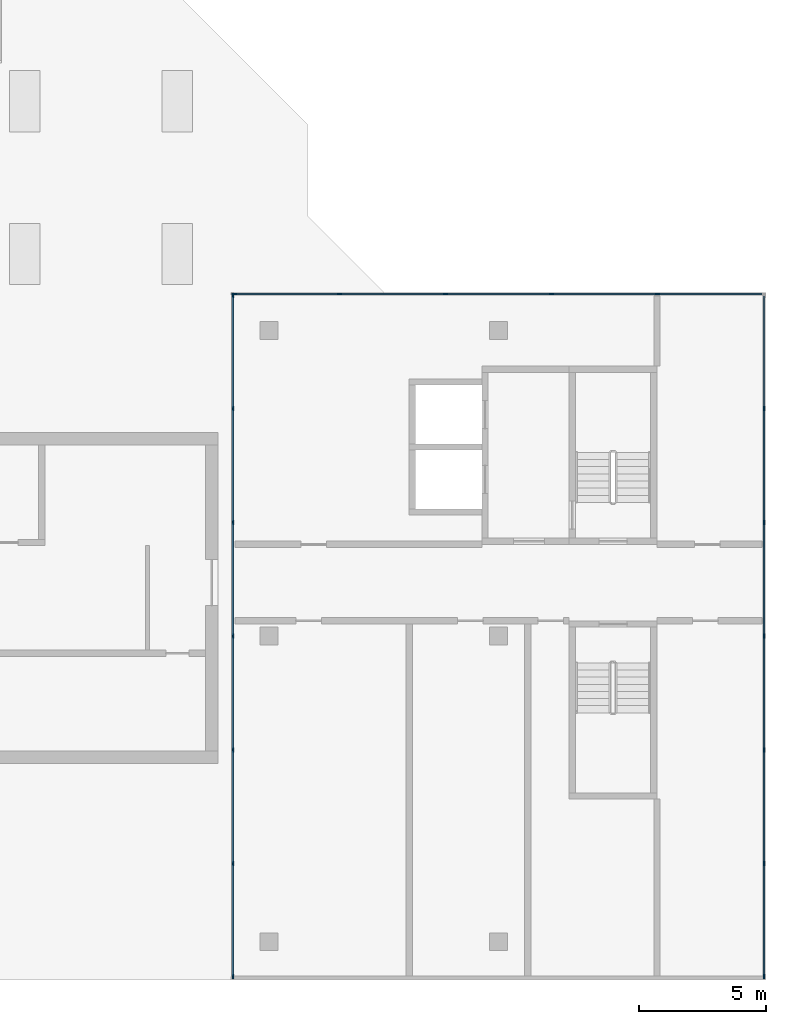
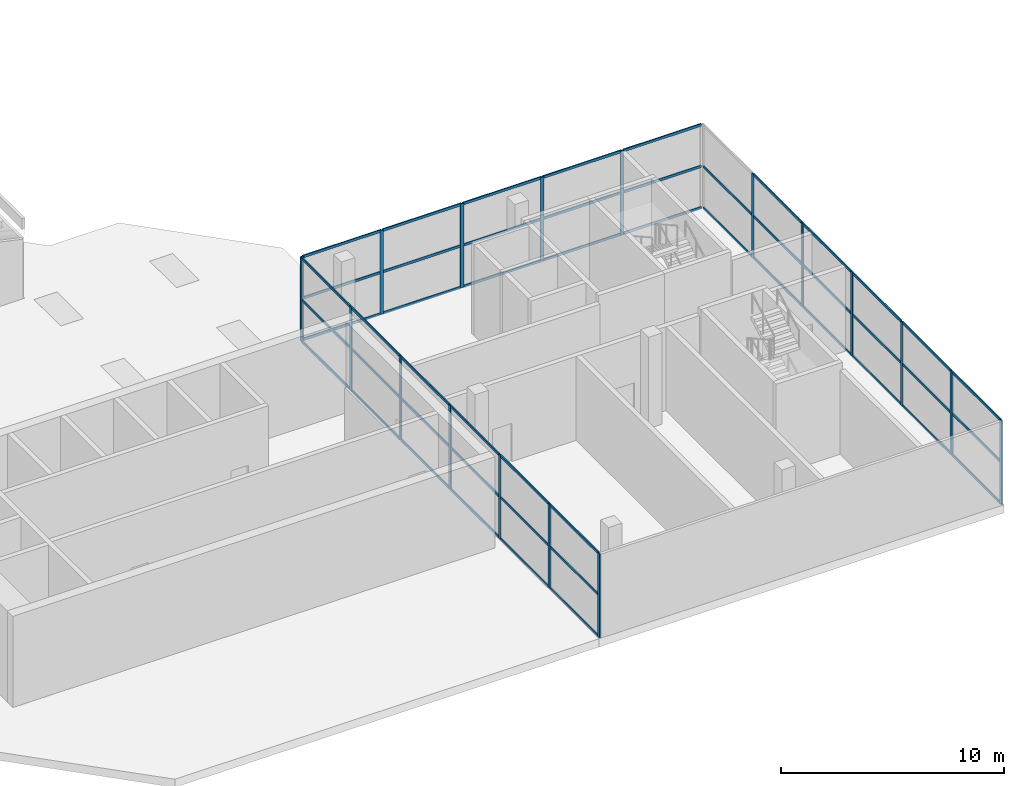
# One storey, part 2 of 8: 68 members, 3 elements without a shape of their own.
"""IFC4 building model written with IfcOpenShell, lengths in metres."""

from ifc_helpers import new_model, si_unit, direction, frame, origin, origin_2d, place, context, subcontext, project, spatial, rectangle, extrude, material, layer, layer_set, material_profile, profile_set, type_object, element, aggregate, save


model = new_model("IFC4")

# Units and contexts
model_context = context("Model", 3, precision=1e-05, world=origin(), true_north=direction((0.0, 1.0)))
body_context = subcontext(model_context, "Body", "Model", "MODEL_VIEW")
ifc_project = project(units=[si_unit("LENGTHUNIT", "METRE"), si_unit("AREAUNIT", "SQUARE_METRE"), si_unit("VOLUMEUNIT", "CUBIC_METRE"), si_unit("PLANEANGLEUNIT", "RADIAN"), si_unit("MASSUNIT", "GRAM", prefix="KILO")], contexts=[model_context])

# Site, building, storey
site_placement = place(None, origin())
site = spatial("IfcSite", under=ifc_project, at=site_placement, CompositionType="ELEMENT")
building_placement = place(site_placement, origin())
building = spatial("IfcBuilding", under=site, at=building_placement, Name="Chenar Terraces", CompositionType="ELEMENT")
storey_placement = place(building_placement, frame((0.0, 0.0, 383.89990234375)))
storey = spatial("IfcBuildingStorey", under=building, at=storey_placement, Name="L90", CompositionType="ELEMENT", Elevation=383.89990234375)

# Curtain wall, members
ifc_material_1 = material(Name="Aluminium framed glazing", Category="aluminium")
ifc_layer = layer(ifc_material_1, 0.14990234375)
ifc_layer_set = layer_set([ifc_layer], Name="Aluminium framed glazing")
curtain_wall_type = type_object("IfcCurtainWallType", Name="Crown curtain wall", PredefinedType="NOTDEFINED", material=ifc_layer_set)
placement = place(storey_placement, origin())
curtain_wall_1 = element("IfcCurtainWall", 1, at=placement, inside=storey, type_object=curtain_wall_type, Name="Crown curtain wall", PredefinedType="NOTDEFINED")
ifc_material_2 = material(Name="Aluminium", Category="aluminium")
ifc_material_profile_1 = material_profile(ifc_material_2, rectangle(XDim=0.06005859375, YDim=0.179931640625, at=origin_2d()), Name="Crown glazing mullion 60 x 180")
ifc_profile_set_1 = profile_set([ifc_material_profile_1], Name="Aluminium")
member_type_1 = type_object("IfcMemberType", Name="Crown glazing mullion 60 x 180", PredefinedType="MULLION", material=ifc_profile_set_1)
member_1_placement = place(storey_placement, frame((55.425048828125, -1.3701171875, 0.0), z_axis=(0.0, 0.0, 1.0), x_axis=(-1.0, 0.0, 0.0)))
member_1 = element("IfcMember", 2, at=member_1_placement, type_object=member_type_1, Name="CW4-01 mullion 1", PredefinedType="MULLION", context=body_context, shape_type="SweptSolid", body=[
    extrude(rectangle(XDim=0.06005859375, YDim=0.179931640625, at=origin_2d()), origin(), (0.0, 0.0, 1.0), 4.60009765625),
])
member_2_placement = place(storey_placement, frame((55.425048828125, 3.066650390625, 0.0), z_axis=(0.0, 0.0, 1.0), x_axis=(-1.0, 0.0, 0.0)))
member_2 = element("IfcMember", 3, at=member_2_placement, type_object=member_type_1, Name="CW4-01 mullion 2", PredefinedType="MULLION", context=body_context, shape_type="SweptSolid", body=[
    extrude(rectangle(XDim=0.06005859375, YDim=0.179931640625, at=origin_2d()), origin(), (0.0, 0.0, 1.0), 4.60009765625),
])
member_3_placement = place(storey_placement, frame((55.425048828125, 7.533447265625, 0.0), z_axis=(0.0, 0.0, 1.0), x_axis=(-1.0, 0.0, 0.0)))
member_3 = element("IfcMember", 4, at=member_3_placement, type_object=member_type_1, Name="CW4-01 mullion 3", PredefinedType="MULLION", context=body_context, shape_type="SweptSolid", body=[
    extrude(rectangle(XDim=0.06005859375, YDim=0.179931640625, at=origin_2d()), origin(), (0.0, 0.0, 1.0), 4.60009765625),
])
member_4_placement = place(storey_placement, frame((55.425048828125, 12.0, 0.0), z_axis=(0.0, 0.0, 1.0), x_axis=(-1.0, 0.0, 0.0)))
member_4 = element("IfcMember", 5, at=member_4_placement, type_object=member_type_1, Name="CW4-01 mullion 4", PredefinedType="MULLION", context=body_context, shape_type="SweptSolid", body=[
    extrude(rectangle(XDim=0.06005859375, YDim=0.179931640625, at=origin_2d()), origin(), (0.0, 0.0, 1.0), 4.60009765625),
])
member_5_placement = place(storey_placement, frame((55.425048828125, 16.466552734375, 0.0), z_axis=(0.0, 0.0, 1.0), x_axis=(-1.0, 0.0, 0.0)))
member_5 = element("IfcMember", 6, at=member_5_placement, type_object=member_type_1, Name="CW4-01 mullion 5", PredefinedType="MULLION", context=body_context, shape_type="SweptSolid", body=[
    extrude(rectangle(XDim=0.06005859375, YDim=0.179931640625, at=origin_2d()), origin(), (0.0, 0.0, 1.0), 4.60009765625),
])
member_6_placement = place(storey_placement, frame((55.425048828125, 20.933349609375, 0.0), z_axis=(0.0, 0.0, 1.0), x_axis=(-1.0, 0.0, 0.0)))
member_6 = element("IfcMember", 7, at=member_6_placement, type_object=member_type_1, Name="CW4-01 mullion 6", PredefinedType="MULLION", context=body_context, shape_type="SweptSolid", body=[
    extrude(rectangle(XDim=0.06005859375, YDim=0.179931640625, at=origin_2d()), origin(), (0.0, 0.0, 1.0), 4.60009765625),
])

curtain_wall_2 = element("IfcCurtainWall", 8, at=placement, inside=storey, type_object=curtain_wall_type, Name="Crown curtain wall", PredefinedType="NOTDEFINED")
member_7_placement = place(storey_placement, frame((51.239990234375, 25.425048828125, 0.0), z_axis=(0.0, 0.0, 1.0), x_axis=(0.0, -1.0, 0.0)))
member_7 = element("IfcMember", 9, at=member_7_placement, type_object=member_type_1, Name="CW4-02 mullion 2", PredefinedType="MULLION", context=body_context, shape_type="SweptSolid", body=[
    extrude(rectangle(XDim=0.06005859375, YDim=0.179931640625, at=origin_2d()), origin(), (0.0, 0.0, 1.0), 4.60009765625),
])
member_8_placement = place(storey_placement, frame((47.080078125, 25.425048828125, 0.0), z_axis=(0.0, 0.0, 1.0), x_axis=(0.0, -1.0, 0.0)))
member_8 = element("IfcMember", 10, at=member_8_placement, type_object=member_type_1, Name="CW4-02 mullion 3", PredefinedType="MULLION", context=body_context, shape_type="SweptSolid", body=[
    extrude(rectangle(XDim=0.06005859375, YDim=0.179931640625, at=origin_2d()), origin(), (0.0, 0.0, 1.0), 4.60009765625),
])
member_9_placement = place(storey_placement, frame((42.919921875, 25.425048828125, 0.0), z_axis=(0.0, 0.0, 1.0), x_axis=(0.0, -1.0, 0.0)))
member_9 = element("IfcMember", 11, at=member_9_placement, type_object=member_type_1, Name="CW4-02 mullion 4", PredefinedType="MULLION", context=body_context, shape_type="SweptSolid", body=[
    extrude(rectangle(XDim=0.06005859375, YDim=0.179931640625, at=origin_2d()), origin(), (0.0, 0.0, 1.0), 4.60009765625),
])
member_10_placement = place(storey_placement, frame((38.760009765625, 25.425048828125, 0.0), z_axis=(0.0, 0.0, 1.0), x_axis=(0.0, -1.0, 0.0)))
member_10 = element("IfcMember", 12, at=member_10_placement, type_object=member_type_1, Name="CW4-02 mullion 5", PredefinedType="MULLION", context=body_context, shape_type="SweptSolid", body=[
    extrude(rectangle(XDim=0.06005859375, YDim=0.179931640625, at=origin_2d()), origin(), (0.0, 0.0, 1.0), 4.60009765625),
])
member_11_placement = place(storey_placement, frame((34.6298828125, 25.425048828125, 0.0), z_axis=(0.0, 0.0, 1.0), x_axis=(0.0, -1.0, 0.0)))
member_11 = element("IfcMember", 13, at=member_11_placement, type_object=member_type_1, Name="CW4-02 mullion 6", PredefinedType="MULLION", context=body_context, shape_type="SweptSolid", body=[
    extrude(rectangle(XDim=0.06005859375, YDim=0.179931640625, at=origin_2d()), origin(), (0.0, 0.0, 1.0), 4.60009765625),
])

curtain_wall_3 = element("IfcCurtainWall", 14, at=placement, inside=storey, type_object=curtain_wall_type, Name="Crown curtain wall", PredefinedType="NOTDEFINED")
member_12_placement = place(storey_placement, frame((34.574951171875, 25.3701171875, 0.0), z_axis=(0.0, 0.0, 1.0), x_axis=(1.0, 0.0, 0.0)))
member_12 = element("IfcMember", 15, at=member_12_placement, type_object=member_type_1, Name="CW4-03 mullion 1", PredefinedType="MULLION", context=body_context, shape_type="SweptSolid", body=[
    extrude(rectangle(XDim=0.06005859375, YDim=0.179931640625, at=origin_2d()), origin(), (0.0, 0.0, 1.0), 4.60009765625),
])
member_13_placement = place(storey_placement, frame((34.574951171875, 20.933349609375, 0.0), z_axis=(0.0, 0.0, 1.0), x_axis=(1.0, 0.0, 0.0)))
member_13 = element("IfcMember", 16, at=member_13_placement, type_object=member_type_1, Name="CW4-03 mullion 2", PredefinedType="MULLION", context=body_context, shape_type="SweptSolid", body=[
    extrude(rectangle(XDim=0.06005859375, YDim=0.179931640625, at=origin_2d()), origin(), (0.0, 0.0, 1.0), 4.60009765625),
])
member_14_placement = place(storey_placement, frame((34.574951171875, 16.466552734375, 0.0), z_axis=(0.0, 0.0, 1.0), x_axis=(1.0, 0.0, 0.0)))
member_14 = element("IfcMember", 17, at=member_14_placement, type_object=member_type_1, Name="CW4-03 mullion 3", PredefinedType="MULLION", context=body_context, shape_type="SweptSolid", body=[
    extrude(rectangle(XDim=0.06005859375, YDim=0.179931640625, at=origin_2d()), origin(), (0.0, 0.0, 1.0), 4.60009765625),
])
member_15_placement = place(storey_placement, frame((34.574951171875, 12.0, 0.0), z_axis=(0.0, 0.0, 1.0), x_axis=(1.0, 0.0, 0.0)))
member_15 = element("IfcMember", 18, at=member_15_placement, type_object=member_type_1, Name="CW4-03 mullion 4", PredefinedType="MULLION", context=body_context, shape_type="SweptSolid", body=[
    extrude(rectangle(XDim=0.06005859375, YDim=0.179931640625, at=origin_2d()), origin(), (0.0, 0.0, 1.0), 4.60009765625),
])
member_16_placement = place(storey_placement, frame((34.574951171875, 7.533447265625, 0.0), z_axis=(0.0, 0.0, 1.0), x_axis=(1.0, 0.0, 0.0)))
member_16 = element("IfcMember", 19, at=member_16_placement, type_object=member_type_1, Name="CW4-03 mullion 5", PredefinedType="MULLION", context=body_context, shape_type="SweptSolid", body=[
    extrude(rectangle(XDim=0.06005859375, YDim=0.179931640625, at=origin_2d()), origin(), (0.0, 0.0, 1.0), 4.60009765625),
])
member_17_placement = place(storey_placement, frame((34.574951171875, 3.066650390625, 0.0), z_axis=(0.0, 0.0, 1.0), x_axis=(1.0, 0.0, 0.0)))
member_17 = element("IfcMember", 20, at=member_17_placement, type_object=member_type_1, Name="CW4-03 mullion 6", PredefinedType="MULLION", context=body_context, shape_type="SweptSolid", body=[
    extrude(rectangle(XDim=0.06005859375, YDim=0.179931640625, at=origin_2d()), origin(), (0.0, 0.0, 1.0), 4.60009765625),
])
member_18_placement = place(storey_placement, frame((34.574951171875, -1.3701171875, 0.0), z_axis=(0.0, 0.0, 1.0), x_axis=(1.0, 0.0, 0.0)))
member_18 = element("IfcMember", 21, at=member_18_placement, type_object=member_type_1, Name="CW4-03 mullion 7", PredefinedType="MULLION", context=body_context, shape_type="SweptSolid", body=[
    extrude(rectangle(XDim=0.06005859375, YDim=0.179931640625, at=origin_2d()), origin(), (0.0, 0.0, 1.0), 4.60009765625),
])

# Member
ifc_material_3 = material(Name="Aluminium", Category="aluminium")
ifc_material_profile_2 = material_profile(ifc_material_3, rectangle(XDim=0.06005859375, YDim=0.139892578125, at=origin_2d()), Name="Crown glazing transom 60 x 140")
ifc_profile_set_2 = profile_set([ifc_material_profile_2], Name="Aluminium")
member_type_2 = type_object("IfcMemberType", Name="Crown glazing transom 60 x 140", PredefinedType="USERDEFINED", material=ifc_profile_set_2)
member_19_placement = place(storey_placement, frame((55.425048828125, -1.340087890625, 0.030029296875), z_axis=(0.0, 1.0, 0.0), x_axis=(-1.0, 0.0, 0.0)))
member_19 = element("IfcMember", 22, at=member_19_placement, type_object=member_type_2, Name="CW4-01 transom 1.1", ObjectType="TRANSOM", PredefinedType="USERDEFINED", context=body_context, shape_type="SweptSolid", body=[
    extrude(rectangle(XDim=0.06005859375, YDim=0.139892578125, at=origin_2d()), origin(), (0.0, 0.0, 1.0), 4.376708984375),
])

member_20_placement = place(storey_placement, frame((55.425048828125, -1.340087890625, 2.300048828125), z_axis=(0.0, 1.0, 0.0), x_axis=(-1.0, 0.0, 0.0)))
member_20 = element("IfcMember", 23, at=member_20_placement, type_object=member_type_2, Name="CW4-01 transom 1.2", ObjectType="TRANSOM", PredefinedType="USERDEFINED", context=body_context, shape_type="SweptSolid", body=[
    extrude(rectangle(XDim=0.06005859375, YDim=0.139892578125, at=origin_2d()), origin(), (0.0, 0.0, 1.0), 4.376708984375),
])

member_21_placement = place(storey_placement, frame((55.425048828125, -1.340087890625, 4.570068359375), z_axis=(0.0, 1.0, 0.0), x_axis=(-1.0, 0.0, 0.0)))
member_21 = element("IfcMember", 24, at=member_21_placement, type_object=member_type_2, Name="CW4-01 transom 1.3", ObjectType="TRANSOM", PredefinedType="USERDEFINED", context=body_context, shape_type="SweptSolid", body=[
    extrude(rectangle(XDim=0.06005859375, YDim=0.139892578125, at=origin_2d()), origin(), (0.0, 0.0, 1.0), 4.376708984375),
])

member_22_placement = place(storey_placement, frame((55.425048828125, 3.0966796875, 0.030029296875), z_axis=(0.0, 1.0, 0.0), x_axis=(-1.0, 0.0, 0.0)))
member_22 = element("IfcMember", 25, at=member_22_placement, type_object=member_type_2, Name="CW4-01 transom 2.1", ObjectType="TRANSOM", PredefinedType="USERDEFINED", context=body_context, shape_type="SweptSolid", body=[
    extrude(rectangle(XDim=0.06005859375, YDim=0.139892578125, at=origin_2d()), origin(), (0.0, 0.0, 1.0), 4.40673828125),
])

member_23_placement = place(storey_placement, frame((55.425048828125, 3.0966796875, 2.300048828125), z_axis=(0.0, 1.0, 0.0), x_axis=(-1.0, 0.0, 0.0)))
member_23 = element("IfcMember", 26, at=member_23_placement, type_object=member_type_2, Name="CW4-01 transom 2.2", ObjectType="TRANSOM", PredefinedType="USERDEFINED", context=body_context, shape_type="SweptSolid", body=[
    extrude(rectangle(XDim=0.06005859375, YDim=0.139892578125, at=origin_2d()), origin(), (0.0, 0.0, 1.0), 4.40673828125),
])

member_24_placement = place(storey_placement, frame((55.425048828125, 3.0966796875, 4.570068359375), z_axis=(0.0, 1.0, 0.0), x_axis=(-1.0, 0.0, 0.0)))
member_24 = element("IfcMember", 27, at=member_24_placement, type_object=member_type_2, Name="CW4-01 transom 2.3", ObjectType="TRANSOM", PredefinedType="USERDEFINED", context=body_context, shape_type="SweptSolid", body=[
    extrude(rectangle(XDim=0.06005859375, YDim=0.139892578125, at=origin_2d()), origin(), (0.0, 0.0, 1.0), 4.40673828125),
])

member_25_placement = place(storey_placement, frame((55.425048828125, 7.563232421875, 0.030029296875), z_axis=(0.0, 1.0, 0.0), x_axis=(-1.0, 0.0, 0.0)))
member_25 = element("IfcMember", 28, at=member_25_placement, type_object=member_type_2, Name="CW4-01 transom 3.1", ObjectType="TRANSOM", PredefinedType="USERDEFINED", context=body_context, shape_type="SweptSolid", body=[
    extrude(rectangle(XDim=0.06005859375, YDim=0.139892578125, at=origin_2d()), origin(), (0.0, 0.0, 1.0), 4.40673828125),
])

member_26_placement = place(storey_placement, frame((55.425048828125, 7.563232421875, 2.300048828125), z_axis=(0.0, 1.0, 0.0), x_axis=(-1.0, 0.0, 0.0)))
member_26 = element("IfcMember", 29, at=member_26_placement, type_object=member_type_2, Name="CW4-01 transom 3.2", ObjectType="TRANSOM", PredefinedType="USERDEFINED", context=body_context, shape_type="SweptSolid", body=[
    extrude(rectangle(XDim=0.06005859375, YDim=0.139892578125, at=origin_2d()), origin(), (0.0, 0.0, 1.0), 4.40673828125),
])

member_27_placement = place(storey_placement, frame((55.425048828125, 7.563232421875, 4.570068359375), z_axis=(0.0, 1.0, 0.0), x_axis=(-1.0, 0.0, 0.0)))
member_27 = element("IfcMember", 30, at=member_27_placement, type_object=member_type_2, Name="CW4-01 transom 3.3", ObjectType="TRANSOM", PredefinedType="USERDEFINED", context=body_context, shape_type="SweptSolid", body=[
    extrude(rectangle(XDim=0.06005859375, YDim=0.139892578125, at=origin_2d()), origin(), (0.0, 0.0, 1.0), 4.40673828125),
])

member_28_placement = place(storey_placement, frame((55.425048828125, 12.030029296875, 0.030029296875), z_axis=(0.0, 1.0, 0.0), x_axis=(-1.0, 0.0, 0.0)))
member_28 = element("IfcMember", 31, at=member_28_placement, type_object=member_type_2, Name="CW4-01 transom 4.1", ObjectType="TRANSOM", PredefinedType="USERDEFINED", context=body_context, shape_type="SweptSolid", body=[
    extrude(rectangle(XDim=0.06005859375, YDim=0.139892578125, at=origin_2d()), origin(), (0.0, 0.0, 1.0), 4.40673828125),
])

member_29_placement = place(storey_placement, frame((55.425048828125, 12.030029296875, 2.300048828125), z_axis=(0.0, 1.0, 0.0), x_axis=(-1.0, 0.0, 0.0)))
member_29 = element("IfcMember", 32, at=member_29_placement, type_object=member_type_2, Name="CW4-01 transom 4.2", ObjectType="TRANSOM", PredefinedType="USERDEFINED", context=body_context, shape_type="SweptSolid", body=[
    extrude(rectangle(XDim=0.06005859375, YDim=0.139892578125, at=origin_2d()), origin(), (0.0, 0.0, 1.0), 4.40673828125),
])

member_30_placement = place(storey_placement, frame((55.425048828125, 12.030029296875, 4.570068359375), z_axis=(0.0, 1.0, 0.0), x_axis=(-1.0, 0.0, 0.0)))
member_30 = element("IfcMember", 33, at=member_30_placement, type_object=member_type_2, Name="CW4-01 transom 4.3", ObjectType="TRANSOM", PredefinedType="USERDEFINED", context=body_context, shape_type="SweptSolid", body=[
    extrude(rectangle(XDim=0.06005859375, YDim=0.139892578125, at=origin_2d()), origin(), (0.0, 0.0, 1.0), 4.40673828125),
])

member_31_placement = place(storey_placement, frame((55.425048828125, 16.49658203125, 0.030029296875), z_axis=(0.0, 1.0, 0.0), x_axis=(-1.0, 0.0, 0.0)))
member_31 = element("IfcMember", 34, at=member_31_placement, type_object=member_type_2, Name="CW4-01 transom 5.1", ObjectType="TRANSOM", PredefinedType="USERDEFINED", context=body_context, shape_type="SweptSolid", body=[
    extrude(rectangle(XDim=0.06005859375, YDim=0.139892578125, at=origin_2d()), origin(), (0.0, 0.0, 1.0), 4.40673828125),
])

member_32_placement = place(storey_placement, frame((55.425048828125, 16.49658203125, 2.300048828125), z_axis=(0.0, 1.0, 0.0), x_axis=(-1.0, 0.0, 0.0)))
member_32 = element("IfcMember", 35, at=member_32_placement, type_object=member_type_2, Name="CW4-01 transom 5.2", ObjectType="TRANSOM", PredefinedType="USERDEFINED", context=body_context, shape_type="SweptSolid", body=[
    extrude(rectangle(XDim=0.06005859375, YDim=0.139892578125, at=origin_2d()), origin(), (0.0, 0.0, 1.0), 4.40673828125),
])

member_33_placement = place(storey_placement, frame((55.425048828125, 16.49658203125, 4.570068359375), z_axis=(0.0, 1.0, 0.0), x_axis=(-1.0, 0.0, 0.0)))
member_33 = element("IfcMember", 36, at=member_33_placement, type_object=member_type_2, Name="CW4-01 transom 5.3", ObjectType="TRANSOM", PredefinedType="USERDEFINED", context=body_context, shape_type="SweptSolid", body=[
    extrude(rectangle(XDim=0.06005859375, YDim=0.139892578125, at=origin_2d()), origin(), (0.0, 0.0, 1.0), 4.40673828125),
])

member_34_placement = place(storey_placement, frame((55.425048828125, 20.96337890625, 0.030029296875), z_axis=(0.0, 1.0, 0.0), x_axis=(-1.0, 0.0, 0.0)))
member_34 = element("IfcMember", 37, at=member_34_placement, type_object=member_type_2, Name="CW4-01 transom 6.1", ObjectType="TRANSOM", PredefinedType="USERDEFINED", context=body_context, shape_type="SweptSolid", body=[
    extrude(rectangle(XDim=0.06005859375, YDim=0.139892578125, at=origin_2d()), origin(), (0.0, 0.0, 1.0), 4.376708984375),
])

member_35_placement = place(storey_placement, frame((55.425048828125, 20.96337890625, 2.300048828125), z_axis=(0.0, 1.0, 0.0), x_axis=(-1.0, 0.0, 0.0)))
member_35 = element("IfcMember", 38, at=member_35_placement, type_object=member_type_2, Name="CW4-01 transom 6.2", ObjectType="TRANSOM", PredefinedType="USERDEFINED", context=body_context, shape_type="SweptSolid", body=[
    extrude(rectangle(XDim=0.06005859375, YDim=0.139892578125, at=origin_2d()), origin(), (0.0, 0.0, 1.0), 4.376708984375),
])

aggregate(curtain_wall_1, [member_1, member_2, member_3, member_4, member_5, member_6, member_19, member_20, member_21, member_22, member_23, member_24, member_25, member_26, member_27, member_28, member_29, member_30, member_31, member_32, member_33, member_34, member_35])

member_36_placement = place(storey_placement, frame((55.340087890625, 25.425048828125, 0.030029296875), z_axis=(-1.0, 0.0, 0.0), x_axis=(0.0, -1.0, 0.0)))
member_36 = element("IfcMember", 39, at=member_36_placement, type_object=member_type_2, Name="CW4-02 transom 1.1", ObjectType="TRANSOM", PredefinedType="USERDEFINED", context=body_context, shape_type="SweptSolid", body=[
    extrude(rectangle(XDim=0.06005859375, YDim=0.139892578125, at=origin_2d()), origin(), (0.0, 0.0, 1.0), 4.070068359375),
])

member_37_placement = place(storey_placement, frame((55.340087890625, 25.425048828125, 2.300048828125), z_axis=(-1.0, 0.0, 0.0), x_axis=(0.0, -1.0, 0.0)))
member_37 = element("IfcMember", 40, at=member_37_placement, type_object=member_type_2, Name="CW4-02 transom 1.2", ObjectType="TRANSOM", PredefinedType="USERDEFINED", context=body_context, shape_type="SweptSolid", body=[
    extrude(rectangle(XDim=0.06005859375, YDim=0.139892578125, at=origin_2d()), origin(), (0.0, 0.0, 1.0), 4.070068359375),
])

member_38_placement = place(storey_placement, frame((55.340087890625, 25.425048828125, 4.570068359375), z_axis=(-1.0, 0.0, 0.0), x_axis=(0.0, -1.0, 0.0)))
member_38 = element("IfcMember", 41, at=member_38_placement, type_object=member_type_2, Name="CW4-02 transom 1.3", ObjectType="TRANSOM", PredefinedType="USERDEFINED", context=body_context, shape_type="SweptSolid", body=[
    extrude(rectangle(XDim=0.06005859375, YDim=0.139892578125, at=origin_2d()), origin(), (0.0, 0.0, 1.0), 4.070068359375),
])

member_39_placement = place(storey_placement, frame((51.2099609375, 25.425048828125, 0.030029296875), z_axis=(-1.0, 0.0, 0.0), x_axis=(0.0, -1.0, 0.0)))
member_39 = element("IfcMember", 42, at=member_39_placement, type_object=member_type_2, Name="CW4-02 transom 2.1", ObjectType="TRANSOM", PredefinedType="USERDEFINED", context=body_context, shape_type="SweptSolid", body=[
    extrude(rectangle(XDim=0.06005859375, YDim=0.139892578125, at=origin_2d()), origin(), (0.0, 0.0, 1.0), 4.099853515625),
])

member_40_placement = place(storey_placement, frame((51.2099609375, 25.425048828125, 2.300048828125), z_axis=(-1.0, 0.0, 0.0), x_axis=(0.0, -1.0, 0.0)))
member_40 = element("IfcMember", 43, at=member_40_placement, type_object=member_type_2, Name="CW4-02 transom 2.2", ObjectType="TRANSOM", PredefinedType="USERDEFINED", context=body_context, shape_type="SweptSolid", body=[
    extrude(rectangle(XDim=0.06005859375, YDim=0.139892578125, at=origin_2d()), origin(), (0.0, 0.0, 1.0), 4.099853515625),
])

member_41_placement = place(storey_placement, frame((51.2099609375, 25.425048828125, 4.570068359375), z_axis=(-1.0, 0.0, 0.0), x_axis=(0.0, -1.0, 0.0)))
member_41 = element("IfcMember", 44, at=member_41_placement, type_object=member_type_2, Name="CW4-02 transom 2.3", ObjectType="TRANSOM", PredefinedType="USERDEFINED", context=body_context, shape_type="SweptSolid", body=[
    extrude(rectangle(XDim=0.06005859375, YDim=0.139892578125, at=origin_2d()), origin(), (0.0, 0.0, 1.0), 4.099853515625),
])

member_42_placement = place(storey_placement, frame((47.050048828125, 25.425048828125, 0.030029296875), z_axis=(-1.0, 0.0, 0.0), x_axis=(0.0, -1.0, 0.0)))
member_42 = element("IfcMember", 45, at=member_42_placement, type_object=member_type_2, Name="CW4-02 transom 3.1", ObjectType="TRANSOM", PredefinedType="USERDEFINED", context=body_context, shape_type="SweptSolid", body=[
    extrude(rectangle(XDim=0.06005859375, YDim=0.139892578125, at=origin_2d()), origin(), (0.0, 0.0, 1.0), 4.10009765625),
])

member_43_placement = place(storey_placement, frame((47.050048828125, 25.425048828125, 2.300048828125), z_axis=(-1.0, 0.0, 0.0), x_axis=(0.0, -1.0, 0.0)))
member_43 = element("IfcMember", 46, at=member_43_placement, type_object=member_type_2, Name="CW4-02 transom 3.2", ObjectType="TRANSOM", PredefinedType="USERDEFINED", context=body_context, shape_type="SweptSolid", body=[
    extrude(rectangle(XDim=0.06005859375, YDim=0.139892578125, at=origin_2d()), origin(), (0.0, 0.0, 1.0), 4.10009765625),
])

member_44_placement = place(storey_placement, frame((47.050048828125, 25.425048828125, 4.570068359375), z_axis=(-1.0, 0.0, 0.0), x_axis=(0.0, -1.0, 0.0)))
member_44 = element("IfcMember", 47, at=member_44_placement, type_object=member_type_2, Name="CW4-02 transom 3.3", ObjectType="TRANSOM", PredefinedType="USERDEFINED", context=body_context, shape_type="SweptSolid", body=[
    extrude(rectangle(XDim=0.06005859375, YDim=0.139892578125, at=origin_2d()), origin(), (0.0, 0.0, 1.0), 4.10009765625),
])

member_45_placement = place(storey_placement, frame((42.889892578125, 25.425048828125, 0.030029296875), z_axis=(-1.0, 0.0, 0.0), x_axis=(0.0, -1.0, 0.0)))
member_45 = element("IfcMember", 48, at=member_45_placement, type_object=member_type_2, Name="CW4-02 transom 4.1", ObjectType="TRANSOM", PredefinedType="USERDEFINED", context=body_context, shape_type="SweptSolid", body=[
    extrude(rectangle(XDim=0.06005859375, YDim=0.139892578125, at=origin_2d()), origin(), (0.0, 0.0, 1.0), 4.099853515625),
])

member_46_placement = place(storey_placement, frame((42.889892578125, 25.425048828125, 2.300048828125), z_axis=(-1.0, 0.0, 0.0), x_axis=(0.0, -1.0, 0.0)))
member_46 = element("IfcMember", 49, at=member_46_placement, type_object=member_type_2, Name="CW4-02 transom 4.2", ObjectType="TRANSOM", PredefinedType="USERDEFINED", context=body_context, shape_type="SweptSolid", body=[
    extrude(rectangle(XDim=0.06005859375, YDim=0.139892578125, at=origin_2d()), origin(), (0.0, 0.0, 1.0), 4.099853515625),
])

member_47_placement = place(storey_placement, frame((42.889892578125, 25.425048828125, 4.570068359375), z_axis=(-1.0, 0.0, 0.0), x_axis=(0.0, -1.0, 0.0)))
member_47 = element("IfcMember", 50, at=member_47_placement, type_object=member_type_2, Name="CW4-02 transom 4.3", ObjectType="TRANSOM", PredefinedType="USERDEFINED", context=body_context, shape_type="SweptSolid", body=[
    extrude(rectangle(XDim=0.06005859375, YDim=0.139892578125, at=origin_2d()), origin(), (0.0, 0.0, 1.0), 4.099853515625),
])

member_48_placement = place(storey_placement, frame((38.72998046875, 25.425048828125, 0.030029296875), z_axis=(-1.0, 0.0, 0.0), x_axis=(0.0, -1.0, 0.0)))
member_48 = element("IfcMember", 51, at=member_48_placement, type_object=member_type_2, Name="CW4-02 transom 5.1", ObjectType="TRANSOM", PredefinedType="USERDEFINED", context=body_context, shape_type="SweptSolid", body=[
    extrude(rectangle(XDim=0.06005859375, YDim=0.139892578125, at=origin_2d()), origin(), (0.0, 0.0, 1.0), 4.070068359375),
])

member_49_placement = place(storey_placement, frame((38.72998046875, 25.425048828125, 2.300048828125), z_axis=(-1.0, 0.0, 0.0), x_axis=(0.0, -1.0, 0.0)))
member_49 = element("IfcMember", 52, at=member_49_placement, type_object=member_type_2, Name="CW4-02 transom 5.2", ObjectType="TRANSOM", PredefinedType="USERDEFINED", context=body_context, shape_type="SweptSolid", body=[
    extrude(rectangle(XDim=0.06005859375, YDim=0.139892578125, at=origin_2d()), origin(), (0.0, 0.0, 1.0), 4.070068359375),
])

member_50_placement = place(storey_placement, frame((38.72998046875, 25.425048828125, 4.570068359375), z_axis=(-1.0, 0.0, 0.0), x_axis=(0.0, -1.0, 0.0)))
member_50 = element("IfcMember", 53, at=member_50_placement, type_object=member_type_2, Name="CW4-02 transom 5.3", ObjectType="TRANSOM", PredefinedType="USERDEFINED", context=body_context, shape_type="SweptSolid", body=[
    extrude(rectangle(XDim=0.06005859375, YDim=0.139892578125, at=origin_2d()), origin(), (0.0, 0.0, 1.0), 4.070068359375),
])

aggregate(curtain_wall_2, [member_7, member_8, member_9, member_10, member_11, member_36, member_37, member_38, member_39, member_40, member_41, member_42, member_43, member_44, member_45, member_46, member_47, member_48, member_49, member_50])

member_51_placement = place(storey_placement, frame((34.574951171875, 25.340087890625, 0.030029296875), z_axis=(0.0, -1.0, 0.0), x_axis=(1.0, 0.0, 0.0)))
member_51 = element("IfcMember", 54, at=member_51_placement, type_object=member_type_2, Name="CW4-03 transom 1.1", ObjectType="TRANSOM", PredefinedType="USERDEFINED", context=body_context, shape_type="SweptSolid", body=[
    extrude(rectangle(XDim=0.06005859375, YDim=0.139892578125, at=origin_2d()), origin(), (0.0, 0.0, 1.0), 4.376708984375),
])

member_52_placement = place(storey_placement, frame((34.574951171875, 25.340087890625, 2.300048828125), z_axis=(0.0, -1.0, 0.0), x_axis=(1.0, 0.0, 0.0)))
member_52 = element("IfcMember", 55, at=member_52_placement, type_object=member_type_2, Name="CW4-03 transom 1.2", ObjectType="TRANSOM", PredefinedType="USERDEFINED", context=body_context, shape_type="SweptSolid", body=[
    extrude(rectangle(XDim=0.06005859375, YDim=0.139892578125, at=origin_2d()), origin(), (0.0, 0.0, 1.0), 4.376708984375),
])

member_53_placement = place(storey_placement, frame((34.574951171875, 25.340087890625, 4.570068359375), z_axis=(0.0, -1.0, 0.0), x_axis=(1.0, 0.0, 0.0)))
member_53 = element("IfcMember", 56, at=member_53_placement, type_object=member_type_2, Name="CW4-03 transom 1.3", ObjectType="TRANSOM", PredefinedType="USERDEFINED", context=body_context, shape_type="SweptSolid", body=[
    extrude(rectangle(XDim=0.06005859375, YDim=0.139892578125, at=origin_2d()), origin(), (0.0, 0.0, 1.0), 4.376708984375),
])

member_54_placement = place(storey_placement, frame((34.574951171875, 20.9033203125, 0.030029296875), z_axis=(0.0, -1.0, 0.0), x_axis=(1.0, 0.0, 0.0)))
member_54 = element("IfcMember", 57, at=member_54_placement, type_object=member_type_2, Name="CW4-03 transom 2.1", ObjectType="TRANSOM", PredefinedType="USERDEFINED", context=body_context, shape_type="SweptSolid", body=[
    extrude(rectangle(XDim=0.06005859375, YDim=0.139892578125, at=origin_2d()), origin(), (0.0, 0.0, 1.0), 4.40673828125),
])

member_55_placement = place(storey_placement, frame((34.574951171875, 20.9033203125, 2.300048828125), z_axis=(0.0, -1.0, 0.0), x_axis=(1.0, 0.0, 0.0)))
member_55 = element("IfcMember", 58, at=member_55_placement, type_object=member_type_2, Name="CW4-03 transom 2.2", ObjectType="TRANSOM", PredefinedType="USERDEFINED", context=body_context, shape_type="SweptSolid", body=[
    extrude(rectangle(XDim=0.06005859375, YDim=0.139892578125, at=origin_2d()), origin(), (0.0, 0.0, 1.0), 4.40673828125),
])

member_56_placement = place(storey_placement, frame((34.574951171875, 20.9033203125, 4.570068359375), z_axis=(0.0, -1.0, 0.0), x_axis=(1.0, 0.0, 0.0)))
member_56 = element("IfcMember", 59, at=member_56_placement, type_object=member_type_2, Name="CW4-03 transom 2.3", ObjectType="TRANSOM", PredefinedType="USERDEFINED", context=body_context, shape_type="SweptSolid", body=[
    extrude(rectangle(XDim=0.06005859375, YDim=0.139892578125, at=origin_2d()), origin(), (0.0, 0.0, 1.0), 4.40673828125),
])

member_57_placement = place(storey_placement, frame((34.574951171875, 16.436767578125, 0.030029296875), z_axis=(0.0, -1.0, 0.0), x_axis=(1.0, 0.0, 0.0)))
member_57 = element("IfcMember", 60, at=member_57_placement, type_object=member_type_2, Name="CW4-03 transom 3.1", ObjectType="TRANSOM", PredefinedType="USERDEFINED", context=body_context, shape_type="SweptSolid", body=[
    extrude(rectangle(XDim=0.06005859375, YDim=0.139892578125, at=origin_2d()), origin(), (0.0, 0.0, 1.0), 4.40673828125),
])

member_58_placement = place(storey_placement, frame((34.574951171875, 16.436767578125, 2.300048828125), z_axis=(0.0, -1.0, 0.0), x_axis=(1.0, 0.0, 0.0)))
member_58 = element("IfcMember", 61, at=member_58_placement, type_object=member_type_2, Name="CW4-03 transom 3.2", ObjectType="TRANSOM", PredefinedType="USERDEFINED", context=body_context, shape_type="SweptSolid", body=[
    extrude(rectangle(XDim=0.06005859375, YDim=0.139892578125, at=origin_2d()), origin(), (0.0, 0.0, 1.0), 4.40673828125),
])

member_59_placement = place(storey_placement, frame((34.574951171875, 16.436767578125, 4.570068359375), z_axis=(0.0, -1.0, 0.0), x_axis=(1.0, 0.0, 0.0)))
member_59 = element("IfcMember", 62, at=member_59_placement, type_object=member_type_2, Name="CW4-03 transom 3.3", ObjectType="TRANSOM", PredefinedType="USERDEFINED", context=body_context, shape_type="SweptSolid", body=[
    extrude(rectangle(XDim=0.06005859375, YDim=0.139892578125, at=origin_2d()), origin(), (0.0, 0.0, 1.0), 4.40673828125),
])

member_60_placement = place(storey_placement, frame((34.574951171875, 11.969970703125, 0.030029296875), z_axis=(0.0, -1.0, 0.0), x_axis=(1.0, 0.0, 0.0)))
member_60 = element("IfcMember", 63, at=member_60_placement, type_object=member_type_2, Name="CW4-03 transom 4.1", ObjectType="TRANSOM", PredefinedType="USERDEFINED", context=body_context, shape_type="SweptSolid", body=[
    extrude(rectangle(XDim=0.06005859375, YDim=0.139892578125, at=origin_2d()), origin(), (0.0, 0.0, 1.0), 4.40673828125),
])

member_61_placement = place(storey_placement, frame((34.574951171875, 11.969970703125, 2.300048828125), z_axis=(0.0, -1.0, 0.0), x_axis=(1.0, 0.0, 0.0)))
member_61 = element("IfcMember", 64, at=member_61_placement, type_object=member_type_2, Name="CW4-03 transom 4.2", ObjectType="TRANSOM", PredefinedType="USERDEFINED", context=body_context, shape_type="SweptSolid", body=[
    extrude(rectangle(XDim=0.06005859375, YDim=0.139892578125, at=origin_2d()), origin(), (0.0, 0.0, 1.0), 4.40673828125),
])

member_62_placement = place(storey_placement, frame((34.574951171875, 11.969970703125, 4.570068359375), z_axis=(0.0, -1.0, 0.0), x_axis=(1.0, 0.0, 0.0)))
member_62 = element("IfcMember", 65, at=member_62_placement, type_object=member_type_2, Name="CW4-03 transom 4.3", ObjectType="TRANSOM", PredefinedType="USERDEFINED", context=body_context, shape_type="SweptSolid", body=[
    extrude(rectangle(XDim=0.06005859375, YDim=0.139892578125, at=origin_2d()), origin(), (0.0, 0.0, 1.0), 4.40673828125),
])

member_63_placement = place(storey_placement, frame((34.574951171875, 7.50341796875, 0.030029296875), z_axis=(0.0, -1.0, 0.0), x_axis=(1.0, 0.0, 0.0)))
member_63 = element("IfcMember", 66, at=member_63_placement, type_object=member_type_2, Name="CW4-03 transom 5.1", ObjectType="TRANSOM", PredefinedType="USERDEFINED", context=body_context, shape_type="SweptSolid", body=[
    extrude(rectangle(XDim=0.06005859375, YDim=0.139892578125, at=origin_2d()), origin(), (0.0, 0.0, 1.0), 4.40673828125),
])

member_64_placement = place(storey_placement, frame((34.574951171875, 7.50341796875, 2.300048828125), z_axis=(0.0, -1.0, 0.0), x_axis=(1.0, 0.0, 0.0)))
member_64 = element("IfcMember", 67, at=member_64_placement, type_object=member_type_2, Name="CW4-03 transom 5.2", ObjectType="TRANSOM", PredefinedType="USERDEFINED", context=body_context, shape_type="SweptSolid", body=[
    extrude(rectangle(XDim=0.06005859375, YDim=0.139892578125, at=origin_2d()), origin(), (0.0, 0.0, 1.0), 4.40673828125),
])

member_65_placement = place(storey_placement, frame((34.574951171875, 7.50341796875, 4.570068359375), z_axis=(0.0, -1.0, 0.0), x_axis=(1.0, 0.0, 0.0)))
member_65 = element("IfcMember", 68, at=member_65_placement, type_object=member_type_2, Name="CW4-03 transom 5.3", ObjectType="TRANSOM", PredefinedType="USERDEFINED", context=body_context, shape_type="SweptSolid", body=[
    extrude(rectangle(XDim=0.06005859375, YDim=0.139892578125, at=origin_2d()), origin(), (0.0, 0.0, 1.0), 4.40673828125),
])

member_66_placement = place(storey_placement, frame((34.574951171875, 3.03662109375, 0.030029296875), z_axis=(0.0, -1.0, 0.0), x_axis=(1.0, 0.0, 0.0)))
member_66 = element("IfcMember", 69, at=member_66_placement, type_object=member_type_2, Name="CW4-03 transom 6.1", ObjectType="TRANSOM", PredefinedType="USERDEFINED", context=body_context, shape_type="SweptSolid", body=[
    extrude(rectangle(XDim=0.06005859375, YDim=0.139892578125, at=origin_2d()), origin(), (0.0, 0.0, 1.0), 4.376708984375),
])

member_67_placement = place(storey_placement, frame((34.574951171875, 3.03662109375, 2.300048828125), z_axis=(0.0, -1.0, 0.0), x_axis=(1.0, 0.0, 0.0)))
member_67 = element("IfcMember", 70, at=member_67_placement, type_object=member_type_2, Name="CW4-03 transom 6.2", ObjectType="TRANSOM", PredefinedType="USERDEFINED", context=body_context, shape_type="SweptSolid", body=[
    extrude(rectangle(XDim=0.06005859375, YDim=0.139892578125, at=origin_2d()), origin(), (0.0, 0.0, 1.0), 4.376708984375),
])

member_68_placement = place(storey_placement, frame((34.574951171875, 3.03662109375, 4.570068359375), z_axis=(0.0, -1.0, 0.0), x_axis=(1.0, 0.0, 0.0)))
member_68 = element("IfcMember", 71, at=member_68_placement, type_object=member_type_2, Name="CW4-03 transom 6.3", ObjectType="TRANSOM", PredefinedType="USERDEFINED", context=body_context, shape_type="SweptSolid", body=[
    extrude(rectangle(XDim=0.06005859375, YDim=0.139892578125, at=origin_2d()), origin(), (0.0, 0.0, 1.0), 4.376708984375),
])

aggregate(curtain_wall_3, [member_12, member_13, member_14, member_15, member_16, member_17, member_18, member_51, member_52, member_53, member_54, member_55, member_56, member_57, member_58, member_59, member_60, member_61, member_62, member_63, member_64, member_65, member_66, member_67, member_68])

save(model, "model.ifc")
